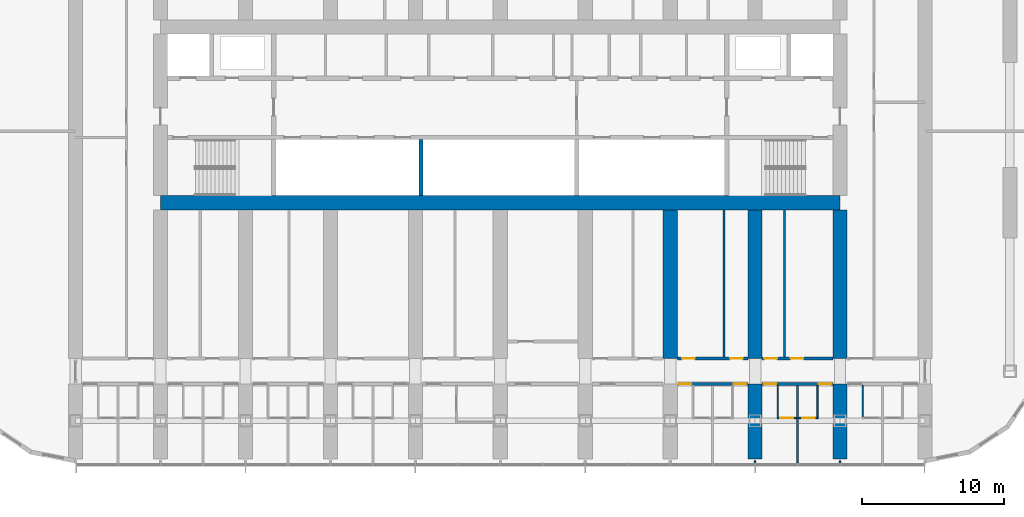
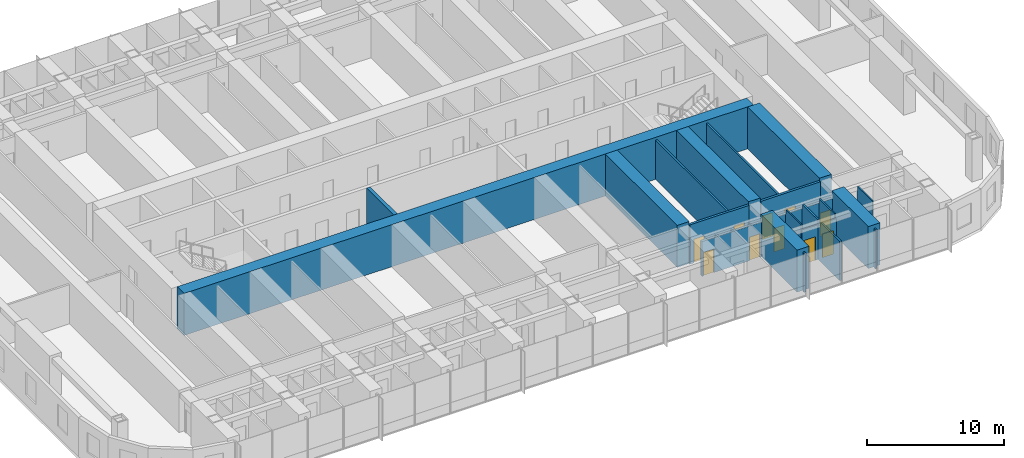
# One storey, part 13 of 25: 21 walls, 10 doors, 10 openings.
"""IFC4 building model written with IfcOpenShell, lengths in metres."""

from ifc_helpers import new_model, si_unit, direction, frame, frame_2d, origin, place, context, subcontext, project, spatial, polyline, rectangle, outline, extrude, material, layer, layer_set, type_object, element, fill, save


model = new_model("IFC4")

# Units and contexts
model_context = context("Model", 3, precision=1e-05, world=origin(), true_north=direction((0.0, 1.0)))
body_context = subcontext(model_context, "Body", "Model", "MODEL_VIEW")
ifc_project = project(units=[si_unit("LENGTHUNIT", "METRE"), si_unit("AREAUNIT", "SQUARE_METRE"), si_unit("VOLUMEUNIT", "CUBIC_METRE"), si_unit("PLANEANGLEUNIT", "RADIAN"), si_unit("MASSUNIT", "GRAM", prefix="KILO")], contexts=[model_context])

# Site, building, storey
site_placement = place(None, origin())
site = spatial("IfcSite", under=ifc_project, at=site_placement, CompositionType="ELEMENT")
building_placement = place(site_placement, origin())
building = spatial("IfcBuilding", under=site, at=building_placement, Name="Orbita Commons", CompositionType="ELEMENT")
storey_placement = place(building_placement, frame((0.0, 0.0, 31.449951171875)))
storey = spatial("IfcBuildingStorey", under=building, at=storey_placement, Name="L07", CompositionType="ELEMENT", Elevation=31.449951171875)

# Walls
ifc_material_1 = material(Name="Concrete C50/60", Category="concrete")
ifc_layer_1 = layer(ifc_material_1, 0.300048828125)
ifc_layer_set_1 = layer_set([ifc_layer_1], Name="Concrete C50/60")
wall_type_1 = type_object("IfcWallType", Name="Core inner wall 300 C50/60", PredefinedType="SHEAR", material=ifc_layer_set_1)
wall_1_placement = place(storey_placement, frame((36.39990234375, 26.300048828125, 0.0), z_axis=(0.0, 0.0, 1.0), x_axis=(0.0, 1.0, 0.0)))
element("IfcWall", 1, at=wall_1_placement, inside=storey, type_object=wall_type_1, Name="Hoistway division wall L07", PredefinedType="SHEAR", context=body_context, shape_type="SweptSolid", body=[
    extrude(rectangle(XDim=3.949951171875, YDim=0.300048828125, at=frame_2d((1.97509765625, 0.0))), origin(), (0.0, 0.0, 1.0), 3.75),
])
ifc_material_2 = material(Name="Concrete C50/60", Category="concrete")
ifc_layer_2 = layer(ifc_material_2, 1.0)
ifc_layer_set_2 = layer_set([ifc_layer_2], Name="Concrete C50/60")
wall_type_2 = type_object("IfcWallType", Name="Core wall 1000 C50/60", PredefinedType="SHEAR", material=ifc_layer_set_2)
wall_2_placement = place(storey_placement, frame((18.0, 25.800048828125, 0.0), z_axis=(0.0, 0.0, 1.0), x_axis=(1.0, 0.0, 0.0)))
element("IfcWall", 2, at=wall_2_placement, inside=storey, type_object=wall_type_2, Name="Core spine wall south L07", PredefinedType="SHEAR", context=body_context, shape_type="SweptSolid", body=[
    extrude(rectangle(XDim=48.0, YDim=1.0, at=frame_2d((24.0, 0.0))), origin(), (0.0, 0.0, 1.0), 3.75),
])

# Wall, openings, doors
ifc_material_3 = material(Name="Concrete blockwork", Category="masonry")
ifc_layer_3 = layer(ifc_material_3, 0.199951171875)
ifc_layer_set_3 = layer_set([ifc_layer_3], Name="Concrete blockwork")
wall_type_3 = type_object("IfcWallType", Name="Corridor wall 200 blockwork", PredefinedType="SOLIDWALL", material=ifc_layer_set_3)
wall_3_placement = place(storey_placement, frame((54.5, 13.0, 0.0), z_axis=(0.0, 0.0, 1.0), x_axis=(1.0, 0.0, 0.0)))
wall_3 = element("IfcWall", 3, at=wall_3_placement, inside=storey, type_object=wall_type_3, Name="Corridor wall 200 blockwork L07", PredefinedType="SOLIDWALL", context=body_context, shape_type="SweptSolid", body=[
    extrude(outline(polyline([(0.0, 0.0), (5.0, 0.0), (5.0, 3.10009765625), (0.0, 3.10009765625), (0.0, 0.0)])), frame((0.0, 0.10009765625, 0.0), z_axis=(0.0, -1.0, 0.0), x_axis=(1.0, 0.0, 0.0)), (0.0, 0.0, 1.0), 0.199951171875),
])
opening_1_placement = place(wall_3_placement, frame((0.10009765625, 0.0, 0.0)))
opening_1 = element("IfcOpeningElement", 4, at=opening_1_placement, cuts=wall_3, Name="Opening D11", PredefinedType="OPENING", context=body_context, shape_type="SweptSolid", body=[
    extrude(rectangle(XDim=0.89990234375, YDim=2.10009765625, at=frame_2d((0.449951171875, 1.050048828125))), frame((0.0, 0.10986328125, 0.0), z_axis=(0.0, -1.0, 0.0), x_axis=(1.0, 0.0, 0.0)), (0.0, 0.0, 1.0), 0.219970703125),
])
opening_2_placement = place(wall_3_placement, frame((4.0, 0.0, 0.0)))
opening_2 = element("IfcOpeningElement", 5, at=opening_2_placement, cuts=wall_3, Name="Opening D11", PredefinedType="OPENING", context=body_context, shape_type="SweptSolid", body=[
    extrude(rectangle(XDim=0.89990234375, YDim=2.10009765625, at=frame_2d((0.449951171875, 1.050048828125))), frame((0.0, 0.10986328125, 0.0), z_axis=(0.0, -1.0, 0.0), x_axis=(1.0, 0.0, 0.0)), (0.0, 0.0, 1.0), 0.219970703125),
])
ifc_material_4 = material(Name="Steel-faced fire door leaf", Category="steel")
door_type_1 = type_object("IfcDoorType", Name="Corridor door 20 min 900x2100", OperationType="SINGLE_SWING_LEFT", PredefinedType="DOOR", material=ifc_material_4)
door_1_placement = place(opening_1_placement, origin())
door_1 = element("IfcDoor", 6, at=door_1_placement, inside=storey, type_object=door_type_1, Name="House bedroom L07-S14 door", OperationType="SINGLE_SWING_LEFT", OverallHeight=2.10009765625, OverallWidth=0.89990234375, PredefinedType="DOOR", context=body_context, shape_type="SweptSolid", body=[
    extrude(rectangle(XDim=0.89990234375, YDim=2.10009765625, at=frame_2d((0.449951171875, 1.050048828125))), frame((0.0, 0.02490234375, 0.0), z_axis=(0.0, -1.0, 0.0), x_axis=(1.0, 0.0, 0.0)), (0.0, 0.0, 1.0), 0.050048828125),
])
fill(opening_1, door_1)
door_2_placement = place(opening_2_placement, origin())
door_2 = element("IfcDoor", 7, at=door_2_placement, inside=storey, type_object=door_type_1, Name="House bedroom L07-S15 door", OperationType="SINGLE_SWING_LEFT", OverallHeight=2.10009765625, OverallWidth=0.89990234375, PredefinedType="DOOR", context=body_context, shape_type="SweptSolid", body=[
    extrude(rectangle(XDim=0.89990234375, YDim=2.10009765625, at=frame_2d((0.449951171875, 1.050048828125))), frame((0.0, 0.02490234375, 0.0), z_axis=(0.0, -1.0, 0.0), x_axis=(1.0, 0.0, 0.0)), (0.0, 0.0, 1.0), 0.050048828125),
])
fill(opening_2, door_2)

wall_4_placement = place(storey_placement, frame((60.5, 13.0, 0.0), z_axis=(0.0, 0.0, 1.0), x_axis=(1.0, 0.0, 0.0)))
wall_4 = element("IfcWall", 8, at=wall_4_placement, inside=storey, type_object=wall_type_3, Name="Corridor wall 200 blockwork L07", PredefinedType="SOLIDWALL", context=body_context, shape_type="SweptSolid", body=[
    extrude(outline(polyline([(0.0, 0.0), (5.0, 0.0), (5.0, 3.10009765625), (0.0, 3.10009765625), (0.0, 0.0)])), frame((0.0, 0.10009765625, 0.0), z_axis=(0.0, -1.0, 0.0), x_axis=(1.0, 0.0, 0.0)), (0.0, 0.0, 1.0), 0.199951171875),
])
opening_3_placement = place(wall_4_placement, frame((0.10009765625, 0.0, 0.0)))
opening_3 = element("IfcOpeningElement", 9, at=opening_3_placement, cuts=wall_4, Name="Opening D11", PredefinedType="OPENING", context=body_context, shape_type="SweptSolid", body=[
    extrude(rectangle(XDim=0.89990234375, YDim=2.10009765625, at=frame_2d((0.449951171875, 1.050048828125))), frame((0.0, 0.10986328125, 0.0), z_axis=(0.0, -1.0, 0.0), x_axis=(1.0, 0.0, 0.0)), (0.0, 0.0, 1.0), 0.219970703125),
])
opening_4_placement = place(wall_4_placement, frame((4.0, 0.0, 0.0)))
opening_4 = element("IfcOpeningElement", 10, at=opening_4_placement, cuts=wall_4, Name="Opening D11", PredefinedType="OPENING", context=body_context, shape_type="SweptSolid", body=[
    extrude(rectangle(XDim=0.89990234375, YDim=2.10009765625, at=frame_2d((0.449951171875, 1.050048828125))), frame((0.0, 0.10986328125, 0.0), z_axis=(0.0, -1.0, 0.0), x_axis=(1.0, 0.0, 0.0)), (0.0, 0.0, 1.0), 0.219970703125),
])
door_3_placement = place(opening_3_placement, origin())
door_3 = element("IfcDoor", 11, at=door_3_placement, inside=storey, type_object=door_type_1, Name="House bedroom L07-S16 door", OperationType="SINGLE_SWING_LEFT", OverallHeight=2.10009765625, OverallWidth=0.89990234375, PredefinedType="DOOR", context=body_context, shape_type="SweptSolid", body=[
    extrude(rectangle(XDim=0.89990234375, YDim=2.10009765625, at=frame_2d((0.449951171875, 1.050048828125))), frame((0.0, 0.02490234375, 0.0), z_axis=(0.0, -1.0, 0.0), x_axis=(1.0, 0.0, 0.0)), (0.0, 0.0, 1.0), 0.050048828125),
])
fill(opening_3, door_3)
door_4_placement = place(opening_4_placement, origin())
door_4 = element("IfcDoor", 12, at=door_4_placement, inside=storey, type_object=door_type_1, Name="House bedroom L07-S17 door", OperationType="SINGLE_SWING_LEFT", OverallHeight=2.10009765625, OverallWidth=0.89990234375, PredefinedType="DOOR", context=body_context, shape_type="SweptSolid", body=[
    extrude(rectangle(XDim=0.89990234375, YDim=2.10009765625, at=frame_2d((0.449951171875, 1.050048828125))), frame((0.0, 0.02490234375, 0.0), z_axis=(0.0, -1.0, 0.0), x_axis=(1.0, 0.0, 0.0)), (0.0, 0.0, 1.0), 0.050048828125),
])
fill(opening_4, door_4)

ifc_material_5 = material(Name="Hollow concrete block 200", Category="concrete")
ifc_layer_4 = layer(ifc_material_5, 0.199951171875)
ifc_layer_set_4 = layer_set([ifc_layer_4], Name="Hollow concrete block 200")
wall_type_4 = type_object("IfcWallType", Name="Corridor wall 200 hollow concrete block", PredefinedType="SOLIDWALL", material=ifc_layer_set_4)
wall_5_placement = place(storey_placement, frame((54.5, 14.800048828125, 0.0), z_axis=(0.0, 0.0, 1.0), x_axis=(1.0, 0.0, 0.0)))
wall_5 = element("IfcWall", 13, at=wall_5_placement, inside=storey, type_object=wall_type_4, Name="Corridor wall 200 hollow concrete block L07", PredefinedType="SOLIDWALL", context=body_context, shape_type="SweptSolid", body=[
    extrude(rectangle(XDim=5.0, YDim=0.199951171875, at=frame_2d((2.5, 0.0))), origin(), (0.0, 0.0, 1.0), 3.5),
])
opening_5_placement = place(wall_5_placement, frame((0.35009765625, 0.0, 0.0)))
opening_5 = element("IfcOpeningElement", 14, at=opening_5_placement, cuts=wall_5, Name="Opening D11", PredefinedType="OPENING", context=body_context, shape_type="SweptSolid", body=[
    extrude(rectangle(XDim=0.89990234375, YDim=2.10009765625, at=frame_2d((0.449951171875, 1.050048828125))), frame((0.0, 0.10986328125, 0.0), z_axis=(0.0, -1.0, 0.0), x_axis=(1.0, 0.0, 0.0)), (0.0, 0.0, 1.0), 0.219970703125),
])
opening_6_placement = place(wall_5_placement, frame((3.72998046875, 0.0, 0.0)))
opening_6 = element("IfcOpeningElement", 15, at=opening_6_placement, cuts=wall_5, Name="Opening D11", PredefinedType="OPENING", context=body_context, shape_type="SweptSolid", body=[
    extrude(rectangle(XDim=0.89990234375, YDim=2.10009765625, at=frame_2d((0.449951171875, 1.050048828125))), frame((0.0, 0.10986328125, 0.0), z_axis=(0.0, -1.0, 0.0), x_axis=(1.0, 0.0, 0.0)), (0.0, 0.0, 1.0), 0.219970703125),
])
door_5_placement = place(opening_5_placement, origin())
door_5 = element("IfcDoor", 16, at=door_5_placement, inside=storey, type_object=door_type_1, Name="Ventilation plant room north L07-BDS54 door", OperationType="SINGLE_SWING_LEFT", OverallHeight=2.10009765625, OverallWidth=0.89990234375, PredefinedType="DOOR", context=body_context, shape_type="SweptSolid", body=[
    extrude(rectangle(XDim=0.89990234375, YDim=2.10009765625, at=frame_2d((0.449951171875, 1.050048828125))), frame((0.0, 0.02490234375, 0.0), z_axis=(0.0, -1.0, 0.0), x_axis=(1.0, 0.0, 0.0)), (0.0, 0.0, 1.0), 0.050048828125),
])
fill(opening_5, door_5)
door_6_placement = place(opening_6_placement, origin())
door_6 = element("IfcDoor", 17, at=door_6_placement, inside=storey, type_object=door_type_1, Name="Water heater cupboard L07-BDS54n door", OperationType="SINGLE_SWING_LEFT", OverallHeight=2.10009765625, OverallWidth=0.89990234375, PredefinedType="DOOR", context=body_context, shape_type="SweptSolid", body=[
    extrude(rectangle(XDim=0.89990234375, YDim=2.10009765625, at=frame_2d((0.449951171875, 1.050048828125))), frame((0.0, 0.02490234375, 0.0), z_axis=(0.0, -1.0, 0.0), x_axis=(1.0, 0.0, 0.0)), (0.0, 0.0, 1.0), 0.050048828125),
])
fill(opening_6, door_6)

wall_6_placement = place(storey_placement, frame((60.5, 14.800048828125, 0.0), z_axis=(0.0, 0.0, 1.0), x_axis=(1.0, 0.0, 0.0)))
wall_6 = element("IfcWall", 18, at=wall_6_placement, inside=storey, type_object=wall_type_4, Name="Corridor wall 200 hollow concrete block L07", PredefinedType="SOLIDWALL", context=body_context, shape_type="SweptSolid", body=[
    extrude(rectangle(XDim=5.0, YDim=0.199951171875, at=frame_2d((2.5, 0.0))), origin(), (0.0, 0.0, 1.0), 3.5),
])
opening_7_placement = place(wall_6_placement, frame((0.14990234375, 0.0, 0.0)))
opening_7 = element("IfcOpeningElement", 19, at=opening_7_placement, cuts=wall_6, Name="Opening D11", PredefinedType="OPENING", context=body_context, shape_type="SweptSolid", body=[
    extrude(rectangle(XDim=0.89990234375, YDim=2.10009765625, at=frame_2d((0.449951171875, 1.050048828125))), frame((0.0, 0.10986328125, 0.0), z_axis=(0.0, -1.0, 0.0), x_axis=(1.0, 0.0, 0.0)), (0.0, 0.0, 1.0), 0.219970703125),
])
opening_8_placement = place(wall_6_placement, frame((2.010009765625, 0.0, 0.0)))
opening_8 = element("IfcOpeningElement", 20, at=opening_8_placement, cuts=wall_6, Name="Opening D11", PredefinedType="OPENING", context=body_context, shape_type="SweptSolid", body=[
    extrude(rectangle(XDim=0.89990234375, YDim=2.10009765625, at=frame_2d((0.449951171875, 1.050048828125))), frame((0.0, 0.10986328125, 0.0), z_axis=(0.0, -1.0, 0.0), x_axis=(1.0, 0.0, 0.0)), (0.0, 0.0, 1.0), 0.219970703125),
])
door_7_placement = place(opening_7_placement, origin())
door_7 = element("IfcDoor", 21, at=door_7_placement, inside=storey, type_object=door_type_1, Name="Equipment store L07-BDS60n door", OperationType="SINGLE_SWING_LEFT", OverallHeight=2.10009765625, OverallWidth=0.89990234375, PredefinedType="DOOR", context=body_context, shape_type="SweptSolid", body=[
    extrude(rectangle(XDim=0.89990234375, YDim=2.10009765625, at=frame_2d((0.449951171875, 1.050048828125))), frame((0.0, 0.02490234375, 0.0), z_axis=(0.0, -1.0, 0.0), x_axis=(1.0, 0.0, 0.0)), (0.0, 0.0, 1.0), 0.050048828125),
])
fill(opening_7, door_7)
door_8_placement = place(opening_8_placement, origin())
door_8 = element("IfcDoor", 22, at=door_8_placement, inside=storey, type_object=door_type_1, Name="Electrical and data room L07-BDS60 door", OperationType="SINGLE_SWING_LEFT", OverallHeight=2.10009765625, OverallWidth=0.89990234375, PredefinedType="DOOR", context=body_context, shape_type="SweptSolid", body=[
    extrude(rectangle(XDim=0.89990234375, YDim=2.10009765625, at=frame_2d((0.449951171875, 1.050048828125))), frame((0.0, 0.02490234375, 0.0), z_axis=(0.0, -1.0, 0.0), x_axis=(1.0, 0.0, 0.0)), (0.0, 0.0, 1.0), 0.050048828125),
])
fill(opening_8, door_8)

# Walls
ifc_material_6 = material(Name="Concrete C50/60", Category="concrete")
ifc_layer_5 = layer(ifc_material_6, 1.0)
ifc_layer_set_5 = layer_set([ifc_layer_5], Name="Concrete C50/60")
wall_type_5 = type_object("IfcWallType", Name="Cross wall 1000 C50/60", PredefinedType="SHEAR", material=ifc_layer_set_5)
wall_7_placement = place(storey_placement, frame((54.0, 14.800048828125, 0.0), z_axis=(0.0, 0.0, 1.0), x_axis=(0.0, 1.0, 0.0)))
element("IfcWall", 23, at=wall_7_placement, inside=storey, type_object=wall_type_5, Name="Cross wall 10 south inner L07", PredefinedType="SHEAR", context=body_context, shape_type="SweptSolid", body=[
    extrude(rectangle(XDim=10.5, YDim=1.0, at=frame_2d((5.25, 0.0))), origin(), (0.0, 0.0, 1.0), 3.75),
])
wall_8_placement = place(storey_placement, frame((60.0, 7.699951171875, 0.0), z_axis=(0.0, 0.0, 1.0), x_axis=(0.0, 1.0, 0.0)))
element("IfcWall", 24, at=wall_8_placement, inside=storey, type_object=wall_type_5, Name="Cross wall 11 south outer L07", PredefinedType="SHEAR", context=body_context, shape_type="SweptSolid", body=[
    extrude(rectangle(XDim=5.300048828125, YDim=1.0, at=frame_2d((2.64990234375, 0.0))), origin(), (0.0, 0.0, 1.0), 3.75),
])
wall_9_placement = place(storey_placement, frame((60.0, 14.800048828125, 0.0), z_axis=(0.0, 0.0, 1.0), x_axis=(0.0, 1.0, 0.0)))
element("IfcWall", 25, at=wall_9_placement, inside=storey, type_object=wall_type_5, Name="Cross wall 11 south inner L07", PredefinedType="SHEAR", context=body_context, shape_type="SweptSolid", body=[
    extrude(rectangle(XDim=10.5, YDim=1.0, at=frame_2d((5.25, 0.0))), origin(), (0.0, 0.0, 1.0), 3.75),
])
wall_10_placement = place(storey_placement, frame((66.0, 7.699951171875, 0.0), z_axis=(0.0, 0.0, 1.0), x_axis=(0.0, 1.0, 0.0)))
element("IfcWall", 26, at=wall_10_placement, inside=storey, type_object=wall_type_5, Name="Cross wall 12 south outer L07", PredefinedType="SHEAR", context=body_context, shape_type="SweptSolid", body=[
    extrude(rectangle(XDim=5.300048828125, YDim=1.0, at=frame_2d((2.64990234375, 0.0))), origin(), (0.0, 0.0, 1.0), 3.75),
])
wall_11_placement = place(storey_placement, frame((66.0, 14.800048828125, 0.0), z_axis=(0.0, 0.0, 1.0), x_axis=(0.0, 1.0, 0.0)))
element("IfcWall", 27, at=wall_11_placement, inside=storey, type_object=wall_type_5, Name="Cross wall 12 south inner L07", PredefinedType="SHEAR", context=body_context, shape_type="SweptSolid", body=[
    extrude(rectangle(XDim=10.5, YDim=1.0, at=frame_2d((5.25, 0.0))), origin(), (0.0, 0.0, 1.0), 3.75),
])

# Wall, opening, door
ifc_material_7 = material(Name="Moisture-resistant plasterboard on steel studs", Category="steel")
ifc_layer_6 = layer(ifc_material_7, 0.10009765625)
ifc_layer_set_6 = layer_set([ifc_layer_6], Name="Moisture-resistant plasterboard on steel studs")
wall_type_6 = type_object("IfcWallType", Name="En-suite partition 100", PredefinedType="PARTITIONING", material=ifc_layer_set_6)
wall_12_placement = place(storey_placement, frame((62.925048828125, 10.59814453125, 0.0), z_axis=(0.0, 0.0, 1.0), x_axis=(-1.0, 0.0, 0.0)))
wall_12 = element("IfcWall", 28, at=wall_12_placement, inside=storey, type_object=wall_type_6, Name="En-suite partition 100 L07", PredefinedType="PARTITIONING", context=body_context, shape_type="SweptSolid", body=[
    extrude(outline(polyline([(0.0, 0.0), (1.375, 0.0), (1.375, 3.10009765625), (0.0, 3.10009765625), (0.0, 0.0)])), frame((0.0, 0.050048828125, 0.0), z_axis=(0.0, -1.0, 0.0), x_axis=(1.0, 0.0, 0.0)), (0.0, 0.0, 1.0), 0.10009765625),
])
opening_9_placement = place(wall_12_placement, frame((0.237548828125, 0.0, 0.0)))
opening_9 = element("IfcOpeningElement", 29, at=opening_9_placement, cuts=wall_12, Name="Opening D09", PredefinedType="OPENING", context=body_context, shape_type="SweptSolid", body=[
    extrude(rectangle(XDim=0.89990234375, YDim=2.10009765625, at=frame_2d((0.449951171875, 1.050048828125))), frame((0.0, 0.06005859375, 0.0), z_axis=(0.0, -1.0, 0.0), x_axis=(1.0, 0.0, 0.0)), (0.0, 0.0, 1.0), 0.1201171875),
])
ifc_material_8 = material(Name="Laminated timber door leaf", Category="wood")
door_type_2 = type_object("IfcDoorType", Name="En-suite door 900x2100", OperationType="SINGLE_SWING_RIGHT", PredefinedType="DOOR", material=ifc_material_8)
door_9_placement = place(opening_9_placement, origin())
door_9 = element("IfcDoor", 30, at=door_9_placement, inside=storey, type_object=door_type_2, Name="En-suite L07-S16 door", OperationType="SINGLE_SWING_RIGHT", OverallHeight=2.10009765625, OverallWidth=0.89990234375, PredefinedType="DOOR", context=body_context, shape_type="SweptSolid", body=[
    extrude(rectangle(XDim=0.89990234375, YDim=2.10009765625, at=frame_2d((0.449951171875, 1.050048828125))), frame((0.0, 0.02490234375, 0.0), z_axis=(0.0, -1.0, 0.0), x_axis=(1.0, 0.0, 0.0)), (0.0, 0.0, 1.0), 0.050048828125),
])
fill(opening_9, door_9)

# Wall
wall_13_placement = place(storey_placement, frame((61.60009765625, 10.648193359375, 0.0), z_axis=(0.0, 0.0, 1.0), x_axis=(0.0, 1.0, 0.0)))
element("IfcWall", 31, at=wall_13_placement, inside=storey, type_object=wall_type_6, Name="En-suite partition 100 L07", PredefinedType="PARTITIONING", context=body_context, shape_type="SweptSolid", body=[
    extrude(outline(polyline([(0.0, 0.0), (2.251708984375, 0.0), (2.251953125, 3.10009765625), (2.203857421875, 3.10009765625), (2.201904296875, 3.5), (0.0, 3.5), (0.0, 0.0)])), frame((0.0, 0.050048828125, 0.0), z_axis=(0.0, -1.0, 0.0), x_axis=(1.0, 0.0, 0.0)), (0.0, 0.0, 1.0), 0.10009765625),
])

# Wall, opening, door
wall_14_placement = place(storey_placement, frame((64.449951171875, 10.59814453125, 0.0), z_axis=(0.0, 0.0, 1.0), x_axis=(-1.0, 0.0, 0.0)))
wall_14 = element("IfcWall", 32, at=wall_14_placement, inside=storey, type_object=wall_type_6, Name="En-suite partition 100 L07", PredefinedType="PARTITIONING", context=body_context, shape_type="SweptSolid", body=[
    extrude(outline(polyline([(0.0, 0.0), (1.375, 0.0), (1.375, 3.10009765625), (0.0, 3.10009765625), (0.0, 0.0)])), frame((0.0, 0.050048828125, 0.0), z_axis=(0.0, -1.0, 0.0), x_axis=(1.0, 0.0, 0.0)), (0.0, 0.0, 1.0), 0.10009765625),
])
opening_10_placement = place(wall_14_placement, frame((0.237548828125, 0.0, 0.0)))
opening_10 = element("IfcOpeningElement", 33, at=opening_10_placement, cuts=wall_14, Name="Opening D09", PredefinedType="OPENING", context=body_context, shape_type="SweptSolid", body=[
    extrude(rectangle(XDim=0.89990234375, YDim=2.10009765625, at=frame_2d((0.449951171875, 1.050048828125))), frame((0.0, 0.06005859375, 0.0), z_axis=(0.0, -1.0, 0.0), x_axis=(1.0, 0.0, 0.0)), (0.0, 0.0, 1.0), 0.1201171875),
])
door_10_placement = place(opening_10_placement, origin())
door_10 = element("IfcDoor", 34, at=door_10_placement, inside=storey, type_object=door_type_2, Name="En-suite L07-S17 door", OperationType="SINGLE_SWING_RIGHT", OverallHeight=2.10009765625, OverallWidth=0.89990234375, PredefinedType="DOOR", context=body_context, shape_type="SweptSolid", body=[
    extrude(rectangle(XDim=0.89990234375, YDim=2.10009765625, at=frame_2d((0.449951171875, 1.050048828125))), frame((0.0, 0.02490234375, 0.0), z_axis=(0.0, -1.0, 0.0), x_axis=(1.0, 0.0, 0.0)), (0.0, 0.0, 1.0), 0.050048828125),
])
fill(opening_10, door_10)

# Walls
for number, where, z_axis, x_axis, name in (
    (35, (64.39990234375, 10.648193359375, 0.0), (0.0, 0.0, 1.0), (0.0, 1.0, 0.0), "En-suite partition 100 L07"),
    (36, (67.60009765625, 10.648193359375, 0.0), (0.0, 0.0, 1.0), (0.0, 1.0, 0.0), "En-suite partition 100 L07"),
):
    element("IfcWall", number, at=place(storey_placement, frame(where, z_axis=z_axis, x_axis=x_axis)), inside=storey, type_object=wall_type_6, Name=name, PredefinedType="PARTITIONING", context=body_context, shape_type="SweptSolid", body=[
        extrude(outline(polyline([(0.0, 0.0), (2.251708984375, 0.0), (2.251953125, 3.10009765625), (2.203857421875, 3.10009765625), (2.201904296875, 3.5), (0.0, 3.5), (0.0, 0.0)])), frame((0.0, 0.050048828125, 0.0), z_axis=(0.0, -1.0, 0.0), x_axis=(1.0, 0.0, 0.0)), (0.0, 0.0, 1.0), 0.10009765625),
    ])
ifc_material_9 = material(Name="Gypsum plasterboard on steel studs", Category="steel")
ifc_layer_7 = layer(ifc_material_9, 0.14990234375)
ifc_layer_set_7 = layer_set([ifc_layer_7], Name="Gypsum plasterboard on steel studs")
wall_type_7 = type_object("IfcWallType", Name="Partition 150 plasterboard", PredefinedType="PARTITIONING", material=ifc_layer_set_7)
for number, where, z_axis, x_axis, name in (
    (37, (57.804931640625, 14.89990234375, 0.0), (0.0, 0.0, 1.0), (0.0, 1.0, 0.0), "Partition 150 plasterboard L07"),
    (38, (62.0849609375, 14.89990234375, 0.0), (0.0, 0.0, 1.0), (0.0, 1.0, 0.0), "Partition 150 plasterboard L07"),
):
    element("IfcWall", number, at=place(storey_placement, frame(where, z_axis=z_axis, x_axis=x_axis)), inside=storey, type_object=wall_type_7, Name=name, PredefinedType="PARTITIONING", context=body_context, shape_type="SweptSolid", body=[
        extrude(rectangle(XDim=10.400146484375, YDim=0.14990234375, at=frame_2d((5.2001953125, 0.0))), origin(), (0.0, 0.0, 1.0), 3.5),
    ])
for number, where, z_axis, x_axis, name in (
    (39, (60.0, 7.60009765625, 0.0), (0.0, 0.0, 1.0), (0.0, -1.0, 0.0), "Partition 150 plasterboard L07"),
    (40, (66.0, 7.60009765625, 0.0), (0.0, 0.0, 1.0), (0.0, -1.0, 0.0), "Partition 150 plasterboard L07"),
):
    element("IfcWall", number, at=place(storey_placement, frame(where, z_axis=z_axis, x_axis=x_axis)), inside=storey, type_object=wall_type_7, Name=name, PredefinedType="PARTITIONING", context=body_context, shape_type="SweptSolid", body=[
        extrude(rectangle(XDim=0.190185546875, YDim=0.14990234375, at=frame_2d((0.09521484375, 0.0))), origin(), (0.0, 0.0, 1.0), 3.5),
    ])
ifc_material_10 = material(Name="Gypsum plasterboard on steel studs", Category="steel")
ifc_layer_8 = layer(ifc_material_10, 0.14990234375)
ifc_layer_set_8 = layer_set([ifc_layer_8], Name="Gypsum plasterboard on steel studs")
wall_type_8 = type_object("IfcWallType", Name="Party wall 150 plasterboard", PredefinedType="PARTITIONING", material=ifc_layer_set_8)
wall_15_placement = place(storey_placement, frame((63.0, 7.409912109375, 0.0), z_axis=(0.0, 0.0, 1.0), x_axis=(0.0, 1.0, 0.0)))
element("IfcWall", 41, at=wall_15_placement, inside=storey, type_object=wall_type_8, Name="Party wall 150 plasterboard L07", PredefinedType="PARTITIONING", context=body_context, shape_type="SweptSolid", body=[
    extrude(outline(polyline([(0.0, 0.0), (5.489990234375, 0.0), (5.489990234375, 3.10009765625), (5.44189453125, 3.10009765625), (5.43994140625, 3.5), (3.19189453125, 3.5), (3.18994140625, 3.10009765625), (2.7919921875, 3.10009765625), (2.7900390625, 3.5), (0.0, 3.5), (0.0, 0.0)])), frame((0.0, 0.074951171875, 0.0), z_axis=(0.0, -1.0, 0.0), x_axis=(1.0, 0.0, 0.0)), (0.0, 0.0, 1.0), 0.14990234375),
])

save(model, "model.ifc")
